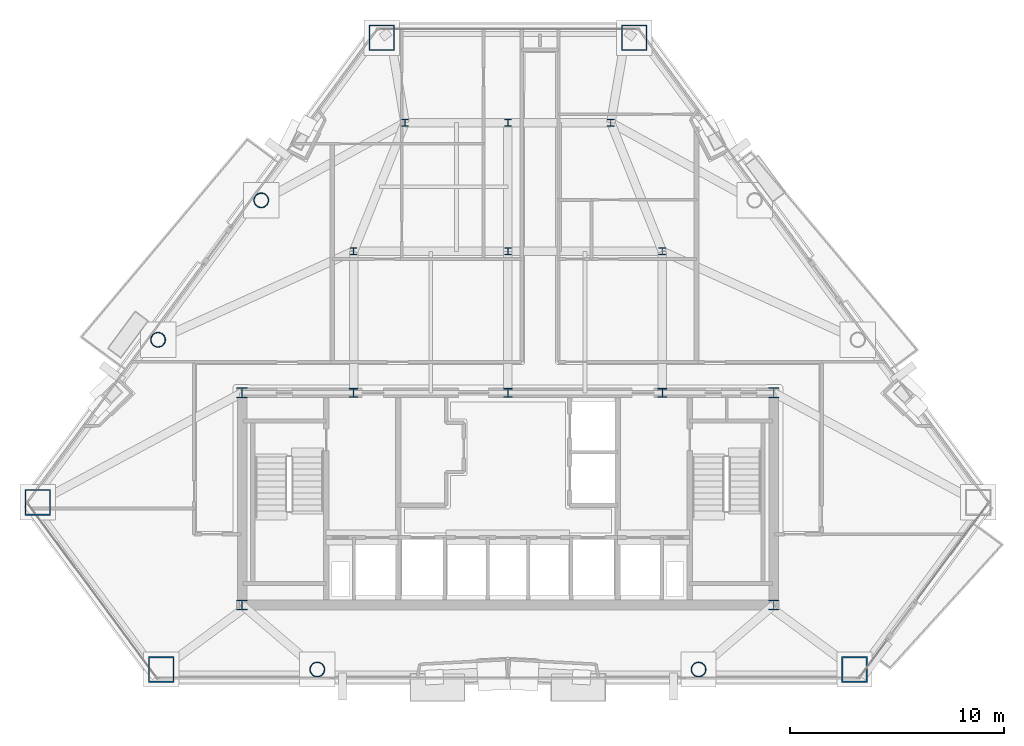
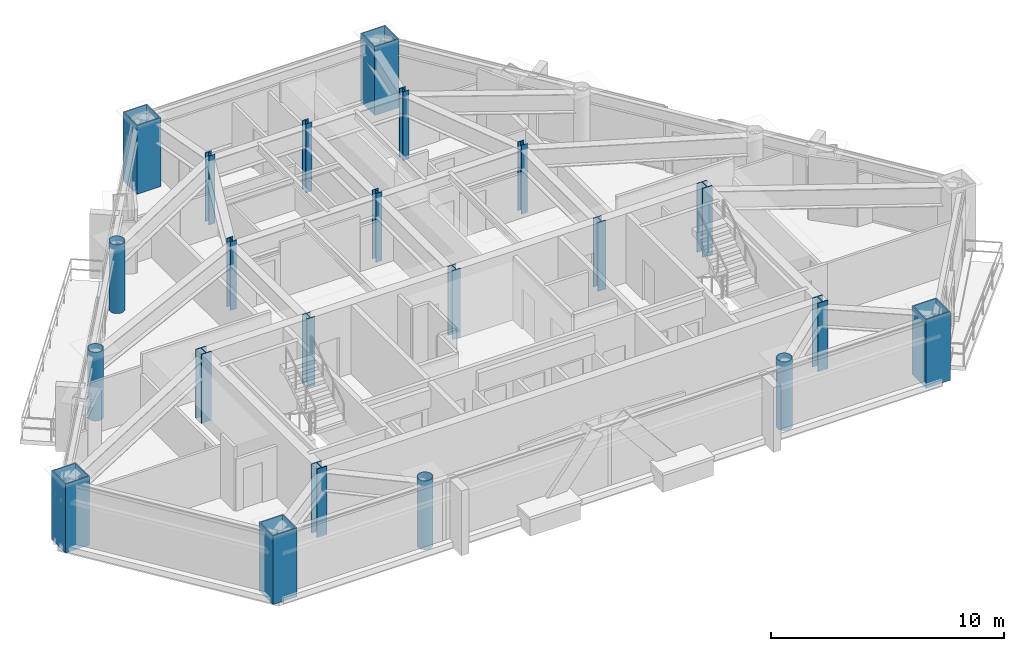
# One storey, part 1 of 11: 22 columns.
"""IFC4 building model written with IfcOpenShell, lengths in metres."""

import ifcopenshell
import ifcopenshell.guid

model = None  # the IFC model being written
_history = None  # IfcOwnerHistory: only IFC2X3 demands one
_inside = {}  # id of a spatial element -> (the spatial element, [elements in it])
_under = {}  # id of a project, library or spatial element -> (it, [spatial elements below it])
_declared = {}  # id of a project -> (the project, [libraries it declares])
_typed = {}  # id of a type object -> (the type object, [elements of that type])
_made_of = {}  # id of a material, layer set ... -> (it, [elements and type objects made of it])


def new_model(schema):
    """Start an empty IFC model of exactly this schema.

    Asked for "IFC4X3", IfcOpenShell would pick the latest addendum, in which some entities
    have other attributes; the version numbers below select the first issue.
    IFC2X3 requires an IfcOwnerHistory on every rooted entity: one is made here for all.
    """
    global model, _history
    if schema == "IFC4X3":
        model = ifcopenshell.file(schema_version=(4, 3, 0, 0))
    else:
        model = ifcopenshell.file(schema=schema)
    _inside.clear()
    _under.clear()
    _declared.clear()
    _typed.clear()
    _made_of.clear()
    _history = None
    if model.schema == "IFC2X3":
        org = make("IfcOrganization", Name="unknown")
        user = make(
            "IfcPersonAndOrganization",
            ThePerson=make("IfcPerson", FamilyName="unknown"),
            TheOrganization=org,
        )
        app = make(
            "IfcApplication",
            ApplicationDeveloper=org,
            Version="unknown",
            ApplicationFullName="unknown",
            ApplicationIdentifier="unknown",
        )
        _history = make(
            "IfcOwnerHistory",
            OwningUser=user,
            OwningApplication=app,
            ChangeAction="ADDED",
            CreationDate=0,
        )
    return model


def make(cls, **values):
    """One entity of the class cls with the attributes given. An attribute that is None is left unset."""
    return model.create_entity(
        cls, **{name: value for name, value in values.items() if value is not None}
    )


def rooted(cls, **values):
    """An entity with a GlobalId (a new one), such as an element, a storey or a relation."""
    return make(cls, GlobalId=ifcopenshell.guid.new(), OwnerHistory=_history, **values)


def si_unit(unit_type, name, prefix=None):
    """IfcSIUnit, for example si_unit("LENGTHUNIT", "METRE", prefix="MILLI")."""
    return make("IfcSIUnit", UnitType=unit_type, Prefix=prefix, Name=name)


def assignment(units):
    """IfcUnitAssignment: the units of a project."""
    return None if units is None else make("IfcUnitAssignment", Units=units)


def point(xyz):
    """IfcCartesianPoint."""
    return None if xyz is None else make("IfcCartesianPoint", Coordinates=xyz)


def direction(xyz):
    """IfcDirection."""
    return None if xyz is None else make("IfcDirection", DirectionRatios=xyz)


def frame(location, z_axis=None, x_axis=None):
    """IfcAxis2Placement3D, a coordinate frame: its origin and axes. An axis left out is left unset."""
    return make(
        "IfcAxis2Placement3D",
        Location=point(location),
        Axis=direction(z_axis),
        RefDirection=direction(x_axis),
    )


def frame_2d(location, x_axis=None):
    """IfcAxis2Placement2D, a coordinate frame in the plane: its origin and x axis."""
    return make(
        "IfcAxis2Placement2D", Location=point(location), RefDirection=direction(x_axis)
    )


def origin():
    """The frame at (0, 0, 0) with its axes left unset."""
    return frame((0.0, 0.0, 0.0))


def origin_2d():
    """The frame at (0, 0) in the plane with its x axis left unset."""
    return frame_2d((0.0, 0.0))


def place(relative_to, where):
    """IfcLocalPlacement: puts the frame where relative to a parent placement (None: the world)."""
    return make(
        "IfcLocalPlacement", PlacementRelTo=relative_to, RelativePlacement=where
    )


def context(
    kind, dimensions, precision=None, world=None, true_north=None, identifier=None
):
    """IfcGeometricRepresentationContext, for example the 3D "Model" context."""
    return make(
        "IfcGeometricRepresentationContext",
        ContextIdentifier=identifier,
        ContextType=kind,
        CoordinateSpaceDimension=dimensions,
        Precision=precision,
        WorldCoordinateSystem=world,
        TrueNorth=true_north,
    )


def subcontext(parent, identifier, kind, view, scale=None):
    """IfcGeometricRepresentationSubContext, for example "Body" below "Model"."""
    return make(
        "IfcGeometricRepresentationSubContext",
        ContextIdentifier=identifier,
        ContextType=kind,
        ParentContext=parent,
        TargetScale=scale,
        TargetView=view,
    )


def project(units=None, contexts=None):
    """IfcProject with its units and contexts."""
    return rooted(
        "IfcProject",
        Name="project",
        RepresentationContexts=contexts,
        UnitsInContext=assignment(units),
    )


def spatial(cls, under=None, at=None, **own):
    """A site, building, storey or space (cls), placed at a placement, below another one or the project."""
    s = rooted(cls, ObjectPlacement=at, **own)
    if under is not None:
        _under.setdefault(under.id(), (under, []))[1].append(s)
    return s


def profile(cls, at=None, kind="AREA", **sizes):
    """A parametric profile (cls). Its sizes go by their IFC names, for example OverallWidth=200.0."""
    return make(cls, ProfileType=kind, Position=at, **sizes)


def hollow_rectangle(**sizes):
    """IfcRectangleHollowProfileDef."""
    return profile("IfcRectangleHollowProfileDef", **sizes)


def hollow_circle(**sizes):
    """IfcCircleHollowProfileDef."""
    return profile("IfcCircleHollowProfileDef", **sizes)


def i_section(**sizes):
    """IfcIShapeProfileDef."""
    return profile("IfcIShapeProfileDef", **sizes)


def extrude(swept, where, along, depth):
    """IfcExtrudedAreaSolid: the profile swept, set in the frame where, extruded along a direction by depth."""
    return make(
        "IfcExtrudedAreaSolid",
        SweptArea=swept,
        Position=where,
        ExtrudedDirection=direction(along),
        Depth=depth,
    )


def shape(context_of_items, identifier, shape_type, items):
    """IfcShapeRepresentation: the items that make up one representation, for example the "Body"."""
    return make(
        "IfcShapeRepresentation",
        ContextOfItems=context_of_items,
        RepresentationIdentifier=identifier,
        RepresentationType=shape_type,
        Items=items,
    )


def material(Name=None, Category=None):
    """IfcMaterial."""
    return make("IfcMaterial", Name=Name, Category=Category)


def material_profile(
    of_material, cross_section, Name=None, Category=None, Priority=None
):
    """IfcMaterialProfile: a cross section and its material."""
    return make(
        "IfcMaterialProfile",
        Name=Name,
        Material=of_material,
        Profile=cross_section,
        Priority=Priority,
        Category=Category,
    )


def profile_set(profiles, Name=None, composite=None):
    """IfcMaterialProfileSet."""
    return make(
        "IfcMaterialProfileSet",
        Name=Name,
        MaterialProfiles=profiles,
        CompositeProfile=composite,
    )


def made_of(thing, what):
    """Note that an element or type object is made of a material, layer set ...; save() writes the relation."""
    if what is not None:
        _made_of.setdefault(what.id(), (what, []))[1].append(thing)
    return thing


def type_object(cls, material=None, **own):
    """A type object (cls), such as IfcWallType, which elements share."""
    return made_of(rooted(cls, **own), material)


def element(
    cls,
    number,
    at=None,
    inside=None,
    cuts=None,
    type_object=None,
    material=None,
    context=None,
    identifier="Body",
    shape_type=None,
    held_by="IfcProductDefinitionShape",
    body=None,
    shapes=None,
    **own,
):
    """One element of the class cls, such as IfcWall. Its Tag is "e" and its number.

    at: its placement. inside: the storey or other place that contains it. cuts: it is an
    opening in that element (IfcRelVoidsElement). A single representation is given by context,
    identifier, shape_type and body (its items); several are given by shapes. held_by: the class
    of the entity that holds the representations. save() writes the other relations.
    """
    e = rooted(cls, Tag="e%d" % number, ObjectPlacement=at, **own)
    if body is not None:
        shapes = [shape(context, identifier, shape_type, body)]
    if shapes is not None:
        e.Representation = make(held_by, Representations=shapes)
    if inside is not None:
        _inside.setdefault(inside.id(), (inside, []))[1].append(e)
    if cuts is not None:
        rooted(
            "IfcRelVoidsElement", RelatingBuildingElement=cuts, RelatedOpeningElement=e
        )
    if type_object is not None:
        _typed.setdefault(type_object.id(), (type_object, []))[1].append(e)
    return made_of(e, material)


def aggregate(whole, parts):
    """IfcRelAggregates: a whole, such as a stair, and the parts it consists of."""
    return rooted("IfcRelAggregates", RelatingObject=whole, RelatedObjects=parts)


def save(model, path):
    """Write the relations noted so far, then the file.

    IfcRelAggregates (storeys below a building ...), IfcRelContainedInSpatialStructure (elements
    in a storey), IfcRelDefinesByType, IfcRelAssociatesMaterial and IfcRelDeclares: one each for
    every whole, place, type object, material and project.
    """
    for whole, parts in _under.values():
        aggregate(whole, parts)
    for where, things in _inside.values():
        rooted(
            "IfcRelContainedInSpatialStructure",
            RelatedElements=things,
            RelatingStructure=where,
        )
    for kind, things in _typed.values():
        rooted("IfcRelDefinesByType", RelatedObjects=things, RelatingType=kind)
    for what, things in _made_of.values():
        rooted("IfcRelAssociatesMaterial", RelatedObjects=things, RelatingMaterial=what)
    for by, libraries in _declared.values():
        rooted("IfcRelDeclares", RelatingContext=by, RelatedDefinitions=libraries)
    model.write(path)


model = new_model("IFC4")

# Units and contexts
model_context = context("Model", 3, precision=1e-05, world=origin(), true_north=direction((0.0, 1.0)))
body_context = subcontext(model_context, "Body", "Model", "MODEL_VIEW")
ifc_project = project(units=[si_unit("LENGTHUNIT", "METRE"), si_unit("AREAUNIT", "SQUARE_METRE"), si_unit("VOLUMEUNIT", "CUBIC_METRE"), si_unit("PLANEANGLEUNIT", "RADIAN"), si_unit("MASSUNIT", "GRAM", prefix="KILO")], contexts=[model_context])

# Site, building, storey
site_placement = place(None, origin())
site = spatial("IfcSite", under=ifc_project, at=site_placement, CompositionType="ELEMENT")
building_placement = place(site_placement, origin())
building = spatial("IfcBuilding", under=site, at=building_placement, Name="Talgorran Terracotta Tower", CompositionType="ELEMENT")
storey_placement = place(building_placement, frame((0.0, 0.0, 110.39990234375)))
storey = spatial("IfcBuildingStorey", under=building, at=storey_placement, Name="L28", CompositionType="ELEMENT", Elevation=110.39990234375)

# Columns
ifc_material_1 = material(Name="Steel S355 (300PLUS)", Category="steel")
ifc_material_profile_1 = material_profile(ifc_material_1, i_section(OverallWidth=0.311279296875, OverallDepth=0.3271484375, WebThickness=0.015625, FlangeThickness=0.02490234375, at=origin_2d()), Name="310UC158")
ifc_profile_set_1 = profile_set([ifc_material_profile_1], Name="Steel S355 (300PLUS)")
column_type_1 = type_object("IfcColumnType", Name="COL_310UC158", PredefinedType="COLUMN", material=ifc_profile_set_1)
for number, where, z_axis, x_axis, name in (
    (1, (-7.199951171875, 2.39990234375, 0.0), (0.0, 0.0, 1.0), (1.0, 0.0, 0.0), "L28 Interior Gravity Column IC1"),
    (2, (0.0, 2.39990234375, 0.0), (0.0, 0.0, 1.0), (1.0, 0.0, 0.0), "L28 Interior Gravity Column IC2"),
    (3, (7.199951171875, 2.39990234375, 0.0), (0.0, 0.0, 1.0), (1.0, 0.0, 0.0), "L28 Interior Gravity Column IC3"),
    (4, (-4.800048828125, 8.39990234375, 0.0), (0.0, 0.0, 1.0), (1.0, 0.0, 0.0), "L28 Interior Gravity Column IC4"),
    (5, (0.0, 8.39990234375, 0.0), (0.0, 0.0, 1.0), (1.0, 0.0, 0.0), "L28 Interior Gravity Column IC5"),
    (6, (4.800048828125, 8.39990234375, 0.0), (0.0, 0.0, 1.0), (1.0, 0.0, 0.0), "L28 Interior Gravity Column IC6"),
):
    element("IfcColumn", number, at=place(storey_placement, frame(where, z_axis=z_axis, x_axis=x_axis)), inside=storey, type_object=column_type_1, Name=name, PredefinedType="COLUMN", context=body_context, shape_type="SweptSolid", body=[
        extrude(i_section(OverallWidth=0.311279296875, OverallDepth=0.3271484375, WebThickness=0.015625, FlangeThickness=0.02490234375, at=origin_2d()), origin(), (0.0, 0.0, 1.0), 3.60009765625),
    ])
ifc_material_profile_2 = material_profile(ifc_material_1, i_section(OverallWidth=0.5, OverallDepth=0.48193359375, WebThickness=0.0400390625, FlangeThickness=0.044921875, at=origin_2d()), Name="500WC440")
ifc_profile_set_2 = profile_set([ifc_material_profile_2], Name="Steel S355 (300PLUS)")
column_type_2 = type_object("IfcColumnType", Name="COL_500WC440", PredefinedType="COLUMN", material=ifc_profile_set_2)
for number, where, z_axis, x_axis, name in (
    (7, (-12.39990234375, -14.10009765625, 0.0), (0.0, 0.0, 1.0), (1.0, 0.0, 0.0), "L28 Core Boundary Column CC1"),
    (8, (12.39990234375, -14.10009765625, 0.0), (0.0, 0.0, 1.0), (1.0, 0.0, 0.0), "L28 Core Boundary Column CC2"),
    (9, (12.39990234375, -4.199951171875, 0.0), (0.0, 0.0, 1.0), (1.0, 0.0, 0.0), "L28 Core Boundary Column CC3"),
    (10, (-12.39990234375, -4.199951171875, 0.0), (0.0, 0.0, 1.0), (1.0, 0.0, 0.0), "L28 Core Boundary Column CC4"),
):
    element("IfcColumn", number, at=place(storey_placement, frame(where, z_axis=z_axis, x_axis=x_axis)), inside=storey, type_object=column_type_2, Name=name, PredefinedType="COLUMN", context=body_context, shape_type="SweptSolid", body=[
        extrude(i_section(OverallWidth=0.5, OverallDepth=0.48193359375, WebThickness=0.0400390625, FlangeThickness=0.044921875, at=origin_2d()), origin(), (0.0, 0.0, 1.0), 3.60009765625),
    ])
ifc_material_2 = material(Name="Steel Grade 350 (350L0)", Category="steel")
ifc_material_profile_3 = material_profile(ifc_material_2, hollow_rectangle(XDim=1.199951171875, YDim=1.199951171875, WallThickness=0.054931640625, at=origin_2d()), Name="CFT1200X1200X55")
ifc_profile_set_3 = profile_set([ifc_material_profile_3], Name="Steel Grade 350 (350L0)")
column_type_3 = type_object("IfcColumnType", Name="COL_CFT_1200", PredefinedType="COLUMN", material=ifc_profile_set_3)
for number, where, z_axis, x_axis, name in (
    (11, (-21.934326171875, -9.315673828125, 0.0), (0.0, 0.0, 1.0), (1.0, 0.0, 0.0), "L28 Corner CFT Mega-Column MC1"),
    (12, (-16.1669921875, -17.10791015625, 0.0), (0.0, 0.0, 1.0), (1.0, 0.0, 0.0), "L28 Corner CFT Mega-Column MC2"),
    (13, (16.1669921875, -17.10791015625, 0.0), (0.0, 0.0, 1.0), (1.0, 0.0, 0.0), "L28 Corner CFT Mega-Column MC3"),
    (14, (5.889892578125, 12.3623046875, 0.0), (0.0, 0.0, 1.0), (1.0, 0.0, 0.0), "L28 Corner CFT Mega-Column MC5"),
    (15, (-5.889892578125, 12.3623046875, 0.0), (0.0, 0.0, 1.0), (1.0, 0.0, 0.0), "L28 Corner CFT Mega-Column MC6"),
):
    element("IfcColumn", number, at=place(storey_placement, frame(where, z_axis=z_axis, x_axis=x_axis)), inside=storey, type_object=column_type_3, Name=name, PredefinedType="COLUMN", context=body_context, shape_type="SweptSolid", body=[
        extrude(hollow_rectangle(XDim=1.199951171875, YDim=1.199951171875, WallThickness=0.054931640625, at=origin_2d()), origin(), (0.0, 0.0, 1.0), 3.60009765625),
    ])
ifc_material_profile_4 = material_profile(ifc_material_2, hollow_circle(Radius=0.35009765625, WallThickness=0.030029296875, at=origin_2d()), Name="CHS700X30")
ifc_profile_set_4 = profile_set([ifc_material_profile_4], Name="Steel Grade 350 (350L0)")
column_type_4 = type_object("IfcColumnType", Name="COL_CHS_700", PredefinedType="COLUMN", material=ifc_profile_set_4)
for number, where, z_axis, x_axis, name in (
    (16, (-8.891845703125, -17.10791015625, 0.0), (0.0, 0.0, 1.0), (1.0, 0.0, 0.0), "L28 Facet Perimeter Column FC1"),
    (17, (8.891845703125, -17.10791015625, 0.0), (0.0, 0.0, 1.0), (1.0, 0.0, 0.0), "L28 Facet Perimeter Column FC2"),
    (18, (-11.505615234375, 4.77490234375, 0.0), (0.0, 0.0, 1.0), (1.0, 0.0, 0.0), "L28 Facet Perimeter Column FC5"),
    (19, (-16.31884765625, -1.728515625, 0.0), (0.0, 0.0, 1.0), (1.0, 0.0, 0.0), "L28 Facet Perimeter Column FC6"),
):
    element("IfcColumn", number, at=place(storey_placement, frame(where, z_axis=z_axis, x_axis=x_axis)), inside=storey, type_object=column_type_4, Name=name, PredefinedType="COLUMN", context=body_context, shape_type="SweptSolid", body=[
        extrude(hollow_circle(Radius=0.35009765625, WallThickness=0.030029296875, at=origin_2d()), origin(), (0.0, 0.0, 1.0), 3.60009765625),
    ])
ifc_material_profile_5 = material_profile(ifc_material_1, i_section(OverallWidth=0.405029296875, OverallDepth=0.4140625, WebThickness=0.02197265625, FlangeThickness=0.031982421875, at=origin_2d()), Name="400WC270")
ifc_profile_set_5 = profile_set([ifc_material_profile_5], Name="Steel S355 (300PLUS)")
column_type_5 = type_object("IfcColumnType", Name="COL_PIL_400WC270", PredefinedType="PILASTER", material=ifc_profile_set_5)
for number, where, z_axis, x_axis, name in (
    (20, (-7.199951171875, -4.199951171875, 0.0), (0.0, 0.0, 1.0), (1.0, 0.0, 0.0), "L28 Core Shear Pilaster CP1"),
    (21, (0.0, -4.199951171875, 0.0), (0.0, 0.0, 1.0), (1.0, 0.0, 0.0), "L28 Core Shear Pilaster CP2"),
    (22, (7.199951171875, -4.199951171875, 0.0), (0.0, 0.0, 1.0), (1.0, 0.0, 0.0), "L28 Core Shear Pilaster CP3"),
):
    element("IfcColumn", number, at=place(storey_placement, frame(where, z_axis=z_axis, x_axis=x_axis)), inside=storey, type_object=column_type_5, Name=name, PredefinedType="PILASTER", context=body_context, shape_type="SweptSolid", body=[
        extrude(i_section(OverallWidth=0.405029296875, OverallDepth=0.4140625, WebThickness=0.02197265625, FlangeThickness=0.031982421875, at=origin_2d()), origin(), (0.0, 0.0, 1.0), 3.60009765625),
    ])

save(model, "model.ifc")
